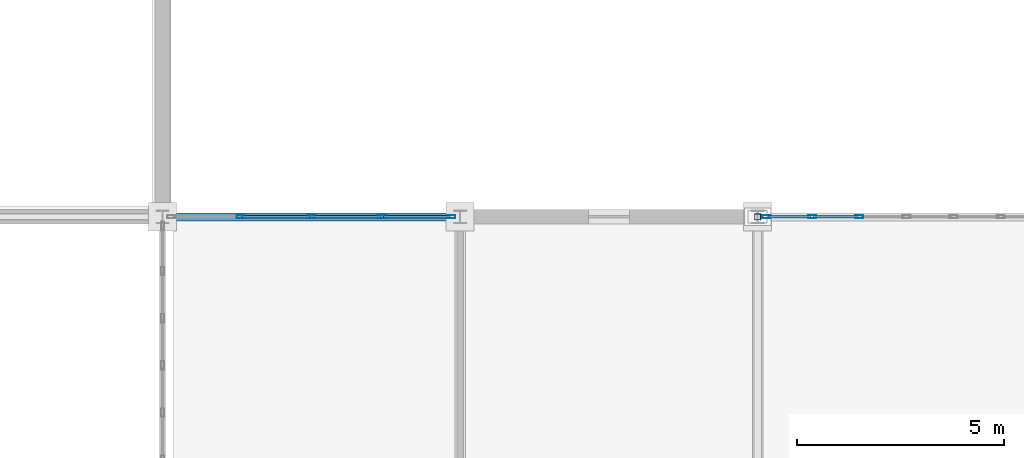
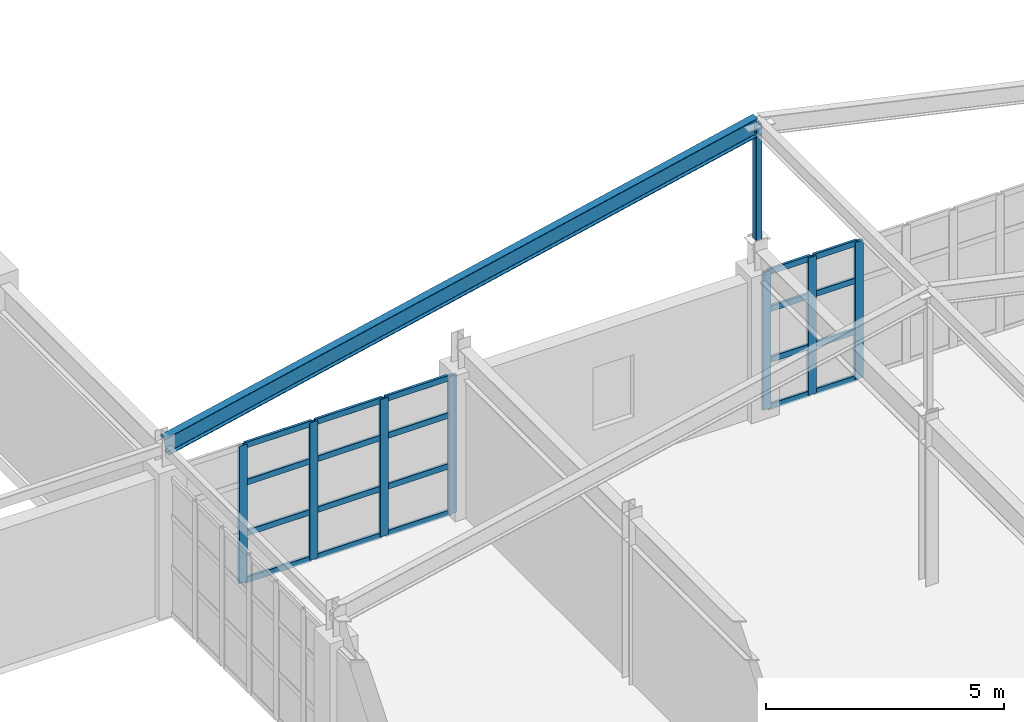
# One storey, part 89 of 137: 28 members, 1 beam, 2 elements without a shape of their own.
"""IFC4 building model written with IfcOpenShell, lengths in metres."""

from ifc_helpers import new_model, si_unit, direction, frame, origin, origin_2d, place, context, subcontext, project, spatial, hollow_rectangle, i_section, extrude, material, layer, layer_set, material_profile, profile_set, type_object, element, aggregate, save


model = new_model("IFC4")

# Units and contexts
model_context = context("Model", 3, precision=1e-05, world=origin(), true_north=direction((0.0, 1.0)))
body_context = subcontext(model_context, "Body", "Model", "MODEL_VIEW")
ifc_project = project(units=[si_unit("LENGTHUNIT", "METRE"), si_unit("AREAUNIT", "SQUARE_METRE"), si_unit("VOLUMEUNIT", "CUBIC_METRE"), si_unit("PLANEANGLEUNIT", "RADIAN"), si_unit("MASSUNIT", "GRAM", prefix="KILO")], contexts=[model_context])

# Site, building, storey
site_placement = place(None, origin())
site = spatial("IfcSite", under=ifc_project, at=site_placement, CompositionType="ELEMENT")
building_placement = place(site_placement, origin())
building = spatial("IfcBuilding", under=site, at=building_placement, Name="Kemerveld Promenade Tramway Depot", CompositionType="ELEMENT")
storey_placement = place(building_placement, frame((0.0, 0.0, 5.39990234375)))
storey = spatial("IfcBuildingStorey", under=building, at=storey_placement, Name="L01", CompositionType="ELEMENT", Elevation=5.39990234375)

# Beam
ifc_material_1 = material(Name="Steel S355", Category="steel")
ifc_material_profile_1 = material_profile(ifc_material_1, i_section(OverallWidth=0.19140625, OverallDepth=0.4599609375, WebThickness=0.010009765625, FlangeThickness=0.01611328125, FilletRadius=0.01025390625, at=origin_2d()), Name="457x191x82 UB")
ifc_profile_set_1 = profile_set([ifc_material_profile_1], Name="Steel S355")
beam_type = type_object("IfcBeamType", Name="BM-G06", PredefinedType="BEAM", material=ifc_profile_set_1)
beam_placement = place(storey_placement, frame((158.39990234375, 50.39990234375, 4.175048828125), z_axis=(0.976188228429, 0.0, 0.216925200651), x_axis=(0.0, 1.0, 0.0)))
element("IfcBeam", 1, at=beam_placement, inside=storey, type_object=beam_type, Name="RAF-V2W-H-A", PredefinedType="BEAM", context=body_context, shape_type="SweptSolid", body=[
    extrude(i_section(OverallWidth=0.19140625, OverallDepth=0.4599609375, WebThickness=0.010009765625, FlangeThickness=0.01611328125, FilletRadius=0.01025390625, at=origin_2d()), origin(), (0.0, 0.0, 1.0), 14.75146484375),
])

# Curtain wall, members
ifc_material_2 = material(Name="Bronze anodised aluminium and solar glass", Category="aluminium")
ifc_layer_1 = layer(ifc_material_2, 0.199951171875)
ifc_layer_set_1 = layer_set([ifc_layer_1], Name="CW-SYS-04")
curtain_wall_type_1 = type_object("IfcCurtainWallType", Name="CW-SYS-04", PredefinedType="USERDEFINED", material=ifc_layer_set_1)
curtain_wall_1_placement = place(storey_placement, origin())
curtain_wall_1 = element("IfcCurtainWall", 2, at=curtain_wall_1_placement, inside=storey, type_object=curtain_wall_type_1, Name="CW-L01-V2N-01", ObjectType="GLAZED_CURTAIN_WALL", PredefinedType="USERDEFINED")
ifc_material_3 = material(Name="Bronze anodised aluminium", Category="aluminium")
ifc_material_profile_2 = material_profile(ifc_material_3, hollow_rectangle(XDim=0.074951171875, YDim=0.199951171875, WallThickness=0.0048828125, InnerFilletRadius=0.001953125, OuterFilletRadius=0.0048828125, at=origin_2d()), Name="CW-MUL-200x75")
ifc_profile_set_2 = profile_set([ifc_material_profile_2], Name="Bronze anodised aluminium")
member_type_1 = type_object("IfcMemberType", Name="CW-MUL-B", PredefinedType="MULLION", material=ifc_profile_set_2)
member_1_placement = place(storey_placement, frame((160.28857421875, 50.39990234375, 0.0), z_axis=(0.0, 0.0, 1.0), x_axis=(0.0, 1.0, 0.0)))
member_1 = element("IfcMember", 3, at=member_1_placement, type_object=member_type_1, Name="CW04 mullion 2", PredefinedType="MULLION", context=body_context, shape_type="SweptSolid", body=[
    extrude(hollow_rectangle(XDim=0.074951171875, YDim=0.199951171875, WallThickness=0.0048828125, InnerFilletRadius=0.001953125, OuterFilletRadius=0.0048828125, at=origin_2d()), origin(), (0.0, 0.0, 1.0), 3.53271484375),
])
member_2_placement = place(storey_placement, frame((162.0, 50.39990234375, 0.0), z_axis=(0.0, 0.0, 1.0), x_axis=(0.0, 1.0, 0.0)))
member_2 = element("IfcMember", 4, at=member_2_placement, type_object=member_type_1, Name="CW04 mullion 3", PredefinedType="MULLION", context=body_context, shape_type="SweptSolid", body=[
    extrude(hollow_rectangle(XDim=0.074951171875, YDim=0.199951171875, WallThickness=0.0048828125, InnerFilletRadius=0.001953125, OuterFilletRadius=0.0048828125, at=origin_2d()), origin(), (0.0, 0.0, 1.0), 3.53271484375),
])
member_3_placement = place(storey_placement, frame((163.71142578125, 50.39990234375, 0.0), z_axis=(0.0, 0.0, 1.0), x_axis=(0.0, 1.0, 0.0)))
member_3 = element("IfcMember", 5, at=member_3_placement, type_object=member_type_1, Name="CW04 mullion 4", PredefinedType="MULLION", context=body_context, shape_type="SweptSolid", body=[
    extrude(hollow_rectangle(XDim=0.074951171875, YDim=0.199951171875, WallThickness=0.0048828125, InnerFilletRadius=0.001953125, OuterFilletRadius=0.0048828125, at=origin_2d()), origin(), (0.0, 0.0, 1.0), 3.53271484375),
])
member_4_placement = place(storey_placement, frame((165.38525390625, 50.39990234375, 0.0), z_axis=(0.0, 0.0, 1.0), x_axis=(0.0, 1.0, 0.0)))
member_4 = element("IfcMember", 6, at=member_4_placement, type_object=member_type_1, Name="CW04 mullion 5", PredefinedType="MULLION", context=body_context, shape_type="SweptSolid", body=[
    extrude(hollow_rectangle(XDim=0.074951171875, YDim=0.199951171875, WallThickness=0.0048828125, InnerFilletRadius=0.001953125, OuterFilletRadius=0.0048828125, at=origin_2d()), origin(), (0.0, 0.0, 1.0), 3.53271484375),
])

ifc_layer_2 = layer(ifc_material_2, 0.199951171875)
ifc_layer_set_2 = layer_set([ifc_layer_2], Name="CW-SYS-06")
curtain_wall_type_2 = type_object("IfcCurtainWallType", Name="CW-SYS-06", PredefinedType="USERDEFINED", material=ifc_layer_set_2)
curtain_wall_2_placement = place(storey_placement, origin())
curtain_wall_2 = element("IfcCurtainWall", 7, at=curtain_wall_2_placement, inside=storey, type_object=curtain_wall_type_2, Name="CW-L01-V2N-03", ObjectType="GLAZED_CURTAIN_WALL", PredefinedType="USERDEFINED")
member_5_placement = place(storey_placement, frame((173.0146484375, 50.39990234375, 0.0), z_axis=(0.0, 0.0, 1.0), x_axis=(0.0, 1.0, 0.0)))
member_5 = element("IfcMember", 8, at=member_5_placement, type_object=member_type_1, Name="CW06 mullion 1", PredefinedType="MULLION", context=body_context, shape_type="SweptSolid", body=[
    extrude(hollow_rectangle(XDim=0.074951171875, YDim=0.199951171875, WallThickness=0.0048828125, InnerFilletRadius=0.001953125, OuterFilletRadius=0.0048828125, at=origin_2d()), origin(), (0.0, 0.0, 1.0), 3.53271484375),
])
member_6_placement = place(storey_placement, frame((174.1181640625, 50.39990234375, 0.0), z_axis=(0.0, 0.0, 1.0), x_axis=(0.0, 1.0, 0.0)))
member_6 = element("IfcMember", 9, at=member_6_placement, type_object=member_type_1, Name="CW06 mullion 2", PredefinedType="MULLION", context=body_context, shape_type="SweptSolid", body=[
    extrude(hollow_rectangle(XDim=0.074951171875, YDim=0.199951171875, WallThickness=0.0048828125, InnerFilletRadius=0.001953125, OuterFilletRadius=0.0048828125, at=origin_2d()), origin(), (0.0, 0.0, 1.0), 3.53271484375),
])
member_7_placement = place(storey_placement, frame((175.259033203125, 50.39990234375, 0.0), z_axis=(0.0, 0.0, 1.0), x_axis=(0.0, 1.0, 0.0)))
member_7 = element("IfcMember", 10, at=member_7_placement, type_object=member_type_1, Name="CW06 mullion 3", PredefinedType="MULLION", context=body_context, shape_type="SweptSolid", body=[
    extrude(hollow_rectangle(XDim=0.074951171875, YDim=0.199951171875, WallThickness=0.0048828125, InnerFilletRadius=0.001953125, OuterFilletRadius=0.0048828125, at=origin_2d()), origin(), (0.0, 0.0, 1.0), 3.53271484375),
])

# Member
ifc_material_profile_3 = material_profile(ifc_material_3, hollow_rectangle(XDim=0.06494140625, YDim=0.14990234375, WallThickness=0.00439453125, InnerFilletRadius=0.001953125, OuterFilletRadius=0.00439453125, at=origin_2d()), Name="CW-TRN-150x65")
ifc_profile_set_3 = profile_set([ifc_material_profile_3], Name="Bronze anodised aluminium")
member_type_2 = type_object("IfcMemberType", Name="CW-TRN-B", PredefinedType="USERDEFINED", material=ifc_profile_set_3)
member_8_placement = place(storey_placement, frame((160.326171875, 50.39990234375, 0.03271484375), z_axis=(1.0, 0.0, 0.0), x_axis=(0.0, 1.0, 0.0)))
member_8 = element("IfcMember", 11, at=member_8_placement, type_object=member_type_2, Name="CW04 transom 2.1", ObjectType="TRANSOM", PredefinedType="USERDEFINED", context=body_context, shape_type="SweptSolid", body=[
    extrude(hollow_rectangle(XDim=0.06494140625, YDim=0.14990234375, WallThickness=0.00439453125, InnerFilletRadius=0.001953125, OuterFilletRadius=0.00439453125, at=origin_2d()), origin(), (0.0, 0.0, 1.0), 1.63623046875),
])

member_9_placement = place(storey_placement, frame((160.326171875, 50.39990234375, 1.236083984375), z_axis=(1.0, 0.0, 0.0), x_axis=(0.0, 1.0, 0.0)))
member_9 = element("IfcMember", 12, at=member_9_placement, type_object=member_type_2, Name="CW04 transom 2.2", ObjectType="TRANSOM", PredefinedType="USERDEFINED", context=body_context, shape_type="SweptSolid", body=[
    extrude(hollow_rectangle(XDim=0.06494140625, YDim=0.14990234375, WallThickness=0.00439453125, InnerFilletRadius=0.001953125, OuterFilletRadius=0.00439453125, at=origin_2d()), origin(), (0.0, 0.0, 1.0), 1.63623046875),
])

member_10_placement = place(storey_placement, frame((160.326171875, 50.39990234375, 2.543212890625), z_axis=(1.0, 0.0, 0.0), x_axis=(0.0, 1.0, 0.0)))
member_10 = element("IfcMember", 13, at=member_10_placement, type_object=member_type_2, Name="CW04 transom 2.3", ObjectType="TRANSOM", PredefinedType="USERDEFINED", context=body_context, shape_type="SweptSolid", body=[
    extrude(hollow_rectangle(XDim=0.06494140625, YDim=0.14990234375, WallThickness=0.00439453125, InnerFilletRadius=0.001953125, OuterFilletRadius=0.00439453125, at=origin_2d()), origin(), (0.0, 0.0, 1.0), 1.63623046875),
])

member_11_placement = place(storey_placement, frame((160.326171875, 50.39990234375, 3.500244140625), z_axis=(1.0, 0.0, 0.0), x_axis=(0.0, 1.0, 0.0)))
member_11 = element("IfcMember", 14, at=member_11_placement, type_object=member_type_2, Name="CW04 transom 2.4", ObjectType="TRANSOM", PredefinedType="USERDEFINED", context=body_context, shape_type="SweptSolid", body=[
    extrude(hollow_rectangle(XDim=0.06494140625, YDim=0.14990234375, WallThickness=0.00439453125, InnerFilletRadius=0.001953125, OuterFilletRadius=0.00439453125, at=origin_2d()), origin(), (0.0, 0.0, 1.0), 1.63623046875),
])

member_12_placement = place(storey_placement, frame((162.03759765625, 50.39990234375, 0.03271484375), z_axis=(1.0, 0.0, 0.0), x_axis=(0.0, 1.0, 0.0)))
member_12 = element("IfcMember", 15, at=member_12_placement, type_object=member_type_2, Name="CW04 transom 3.1", ObjectType="TRANSOM", PredefinedType="USERDEFINED", context=body_context, shape_type="SweptSolid", body=[
    extrude(hollow_rectangle(XDim=0.06494140625, YDim=0.14990234375, WallThickness=0.00439453125, InnerFilletRadius=0.001953125, OuterFilletRadius=0.00439453125, at=origin_2d()), origin(), (0.0, 0.0, 1.0), 1.63623046875),
])

member_13_placement = place(storey_placement, frame((162.03759765625, 50.39990234375, 1.236083984375), z_axis=(1.0, 0.0, 0.0), x_axis=(0.0, 1.0, 0.0)))
member_13 = element("IfcMember", 16, at=member_13_placement, type_object=member_type_2, Name="CW04 transom 3.2", ObjectType="TRANSOM", PredefinedType="USERDEFINED", context=body_context, shape_type="SweptSolid", body=[
    extrude(hollow_rectangle(XDim=0.06494140625, YDim=0.14990234375, WallThickness=0.00439453125, InnerFilletRadius=0.001953125, OuterFilletRadius=0.00439453125, at=origin_2d()), origin(), (0.0, 0.0, 1.0), 1.63623046875),
])

member_14_placement = place(storey_placement, frame((162.03759765625, 50.39990234375, 2.543212890625), z_axis=(1.0, 0.0, 0.0), x_axis=(0.0, 1.0, 0.0)))
member_14 = element("IfcMember", 17, at=member_14_placement, type_object=member_type_2, Name="CW04 transom 3.3", ObjectType="TRANSOM", PredefinedType="USERDEFINED", context=body_context, shape_type="SweptSolid", body=[
    extrude(hollow_rectangle(XDim=0.06494140625, YDim=0.14990234375, WallThickness=0.00439453125, InnerFilletRadius=0.001953125, OuterFilletRadius=0.00439453125, at=origin_2d()), origin(), (0.0, 0.0, 1.0), 1.63623046875),
])

member_15_placement = place(storey_placement, frame((162.03759765625, 50.39990234375, 3.500244140625), z_axis=(1.0, 0.0, 0.0), x_axis=(0.0, 1.0, 0.0)))
member_15 = element("IfcMember", 18, at=member_15_placement, type_object=member_type_2, Name="CW04 transom 3.4", ObjectType="TRANSOM", PredefinedType="USERDEFINED", context=body_context, shape_type="SweptSolid", body=[
    extrude(hollow_rectangle(XDim=0.06494140625, YDim=0.14990234375, WallThickness=0.00439453125, InnerFilletRadius=0.001953125, OuterFilletRadius=0.00439453125, at=origin_2d()), origin(), (0.0, 0.0, 1.0), 1.63623046875),
])

member_16_placement = place(storey_placement, frame((163.748779296875, 50.39990234375, 0.03271484375), z_axis=(1.0, 0.0, 0.0), x_axis=(0.0, 1.0, 0.0)))
member_16 = element("IfcMember", 19, at=member_16_placement, type_object=member_type_2, Name="CW04 transom 4.1", ObjectType="TRANSOM", PredefinedType="USERDEFINED", context=body_context, shape_type="SweptSolid", body=[
    extrude(hollow_rectangle(XDim=0.06494140625, YDim=0.14990234375, WallThickness=0.00439453125, InnerFilletRadius=0.001953125, OuterFilletRadius=0.00439453125, at=origin_2d()), origin(), (0.0, 0.0, 1.0), 1.59912109375),
])

member_17_placement = place(storey_placement, frame((163.748779296875, 50.39990234375, 1.236083984375), z_axis=(1.0, 0.0, 0.0), x_axis=(0.0, 1.0, 0.0)))
member_17 = element("IfcMember", 20, at=member_17_placement, type_object=member_type_2, Name="CW04 transom 4.2", ObjectType="TRANSOM", PredefinedType="USERDEFINED", context=body_context, shape_type="SweptSolid", body=[
    extrude(hollow_rectangle(XDim=0.06494140625, YDim=0.14990234375, WallThickness=0.00439453125, InnerFilletRadius=0.001953125, OuterFilletRadius=0.00439453125, at=origin_2d()), origin(), (0.0, 0.0, 1.0), 1.59912109375),
])

member_18_placement = place(storey_placement, frame((163.748779296875, 50.39990234375, 2.543212890625), z_axis=(1.0, 0.0, 0.0), x_axis=(0.0, 1.0, 0.0)))
member_18 = element("IfcMember", 21, at=member_18_placement, type_object=member_type_2, Name="CW04 transom 4.3", ObjectType="TRANSOM", PredefinedType="USERDEFINED", context=body_context, shape_type="SweptSolid", body=[
    extrude(hollow_rectangle(XDim=0.06494140625, YDim=0.14990234375, WallThickness=0.00439453125, InnerFilletRadius=0.001953125, OuterFilletRadius=0.00439453125, at=origin_2d()), origin(), (0.0, 0.0, 1.0), 1.59912109375),
])

member_19_placement = place(storey_placement, frame((163.748779296875, 50.39990234375, 3.500244140625), z_axis=(1.0, 0.0, 0.0), x_axis=(0.0, 1.0, 0.0)))
member_19 = element("IfcMember", 22, at=member_19_placement, type_object=member_type_2, Name="CW04 transom 4.4", ObjectType="TRANSOM", PredefinedType="USERDEFINED", context=body_context, shape_type="SweptSolid", body=[
    extrude(hollow_rectangle(XDim=0.06494140625, YDim=0.14990234375, WallThickness=0.00439453125, InnerFilletRadius=0.001953125, OuterFilletRadius=0.00439453125, at=origin_2d()), origin(), (0.0, 0.0, 1.0), 1.59912109375),
])

aggregate(curtain_wall_1, [member_1, member_2, member_3, member_4, member_8, member_9, member_10, member_11, member_12, member_13, member_14, member_15, member_16, member_17, member_18, member_19])

member_20_placement = place(storey_placement, frame((173.05224609375, 50.39990234375, 0.03271484375), z_axis=(1.0, 0.0, 0.0), x_axis=(0.0, 1.0, 0.0)))
member_20 = element("IfcMember", 23, at=member_20_placement, type_object=member_type_2, Name="CW06 transom 1.1", ObjectType="TRANSOM", PredefinedType="USERDEFINED", context=body_context, shape_type="SweptSolid", body=[
    extrude(hollow_rectangle(XDim=0.06494140625, YDim=0.14990234375, WallThickness=0.00439453125, InnerFilletRadius=0.001953125, OuterFilletRadius=0.00439453125, at=origin_2d()), origin(), (0.0, 0.0, 1.0), 1.0283203125),
])

member_21_placement = place(storey_placement, frame((173.05224609375, 50.39990234375, 1.236083984375), z_axis=(1.0, 0.0, 0.0), x_axis=(0.0, 1.0, 0.0)))
member_21 = element("IfcMember", 24, at=member_21_placement, type_object=member_type_2, Name="CW06 transom 1.2", ObjectType="TRANSOM", PredefinedType="USERDEFINED", context=body_context, shape_type="SweptSolid", body=[
    extrude(hollow_rectangle(XDim=0.06494140625, YDim=0.14990234375, WallThickness=0.00439453125, InnerFilletRadius=0.001953125, OuterFilletRadius=0.00439453125, at=origin_2d()), origin(), (0.0, 0.0, 1.0), 1.0283203125),
])

member_22_placement = place(storey_placement, frame((173.05224609375, 50.39990234375, 2.543212890625), z_axis=(1.0, 0.0, 0.0), x_axis=(0.0, 1.0, 0.0)))
member_22 = element("IfcMember", 25, at=member_22_placement, type_object=member_type_2, Name="CW06 transom 1.3", ObjectType="TRANSOM", PredefinedType="USERDEFINED", context=body_context, shape_type="SweptSolid", body=[
    extrude(hollow_rectangle(XDim=0.06494140625, YDim=0.14990234375, WallThickness=0.00439453125, InnerFilletRadius=0.001953125, OuterFilletRadius=0.00439453125, at=origin_2d()), origin(), (0.0, 0.0, 1.0), 1.0283203125),
])

member_23_placement = place(storey_placement, frame((173.05224609375, 50.39990234375, 3.500244140625), z_axis=(1.0, 0.0, 0.0), x_axis=(0.0, 1.0, 0.0)))
member_23 = element("IfcMember", 26, at=member_23_placement, type_object=member_type_2, Name="CW06 transom 1.4", ObjectType="TRANSOM", PredefinedType="USERDEFINED", context=body_context, shape_type="SweptSolid", body=[
    extrude(hollow_rectangle(XDim=0.06494140625, YDim=0.14990234375, WallThickness=0.00439453125, InnerFilletRadius=0.001953125, OuterFilletRadius=0.00439453125, at=origin_2d()), origin(), (0.0, 0.0, 1.0), 1.0283203125),
])

member_24_placement = place(storey_placement, frame((174.155517578125, 50.39990234375, 0.03271484375), z_axis=(1.0, 0.0, 0.0), x_axis=(0.0, 1.0, 0.0)))
member_24 = element("IfcMember", 27, at=member_24_placement, type_object=member_type_2, Name="CW06 transom 2.1", ObjectType="TRANSOM", PredefinedType="USERDEFINED", context=body_context, shape_type="SweptSolid", body=[
    extrude(hollow_rectangle(XDim=0.06494140625, YDim=0.14990234375, WallThickness=0.00439453125, InnerFilletRadius=0.001953125, OuterFilletRadius=0.00439453125, at=origin_2d()), origin(), (0.0, 0.0, 1.0), 1.066162109375),
])

member_25_placement = place(storey_placement, frame((174.155517578125, 50.39990234375, 1.236083984375), z_axis=(1.0, 0.0, 0.0), x_axis=(0.0, 1.0, 0.0)))
member_25 = element("IfcMember", 28, at=member_25_placement, type_object=member_type_2, Name="CW06 transom 2.2", ObjectType="TRANSOM", PredefinedType="USERDEFINED", context=body_context, shape_type="SweptSolid", body=[
    extrude(hollow_rectangle(XDim=0.06494140625, YDim=0.14990234375, WallThickness=0.00439453125, InnerFilletRadius=0.001953125, OuterFilletRadius=0.00439453125, at=origin_2d()), origin(), (0.0, 0.0, 1.0), 1.066162109375),
])

member_26_placement = place(storey_placement, frame((174.155517578125, 50.39990234375, 2.543212890625), z_axis=(1.0, 0.0, 0.0), x_axis=(0.0, 1.0, 0.0)))
member_26 = element("IfcMember", 29, at=member_26_placement, type_object=member_type_2, Name="CW06 transom 2.3", ObjectType="TRANSOM", PredefinedType="USERDEFINED", context=body_context, shape_type="SweptSolid", body=[
    extrude(hollow_rectangle(XDim=0.06494140625, YDim=0.14990234375, WallThickness=0.00439453125, InnerFilletRadius=0.001953125, OuterFilletRadius=0.00439453125, at=origin_2d()), origin(), (0.0, 0.0, 1.0), 1.066162109375),
])

member_27_placement = place(storey_placement, frame((174.155517578125, 50.39990234375, 3.500244140625), z_axis=(1.0, 0.0, 0.0), x_axis=(0.0, 1.0, 0.0)))
member_27 = element("IfcMember", 30, at=member_27_placement, type_object=member_type_2, Name="CW06 transom 2.4", ObjectType="TRANSOM", PredefinedType="USERDEFINED", context=body_context, shape_type="SweptSolid", body=[
    extrude(hollow_rectangle(XDim=0.06494140625, YDim=0.14990234375, WallThickness=0.00439453125, InnerFilletRadius=0.001953125, OuterFilletRadius=0.00439453125, at=origin_2d()), origin(), (0.0, 0.0, 1.0), 1.066162109375),
])

aggregate(curtain_wall_2, [member_5, member_6, member_7, member_20, member_21, member_22, member_23, member_24, member_25, member_26, member_27])

ifc_material_profile_4 = material_profile(ifc_material_1, hollow_rectangle(XDim=0.14990234375, YDim=0.14990234375, WallThickness=0.008056640625, InnerFilletRadius=0.00390625, OuterFilletRadius=0.011962890625, at=origin_2d()), Name="150x150x8.0 SHS")
ifc_profile_set_4 = profile_set([ifc_material_profile_4], Name="Steel S355")
member_type_3 = type_object("IfcMemberType", Name="MB-TP2", PredefinedType="POST", material=ifc_profile_set_4)
member_28_placement = place(storey_placement, frame((172.800048828125, 50.39990234375, 4.4501953125), z_axis=(0.0, 0.0, 1.0), x_axis=(1.0, 0.0, 0.0)))
element("IfcMember", 31, at=member_28_placement, inside=storey, type_object=member_type_3, Name="POST-RDG-V2-H", PredefinedType="POST", context=body_context, shape_type="SweptSolid", body=[
    extrude(hollow_rectangle(XDim=0.14990234375, YDim=0.14990234375, WallThickness=0.008056640625, InnerFilletRadius=0.00390625, OuterFilletRadius=0.011962890625, at=origin_2d()), origin(), (0.0, 0.0, 1.0), 2.96484375),
])

save(model, "model.ifc")
